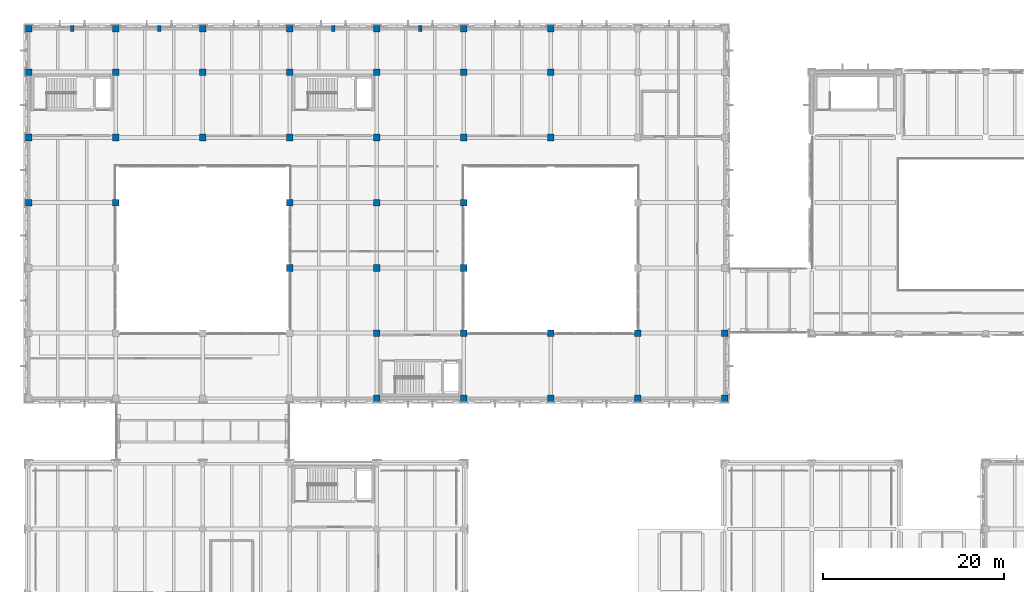
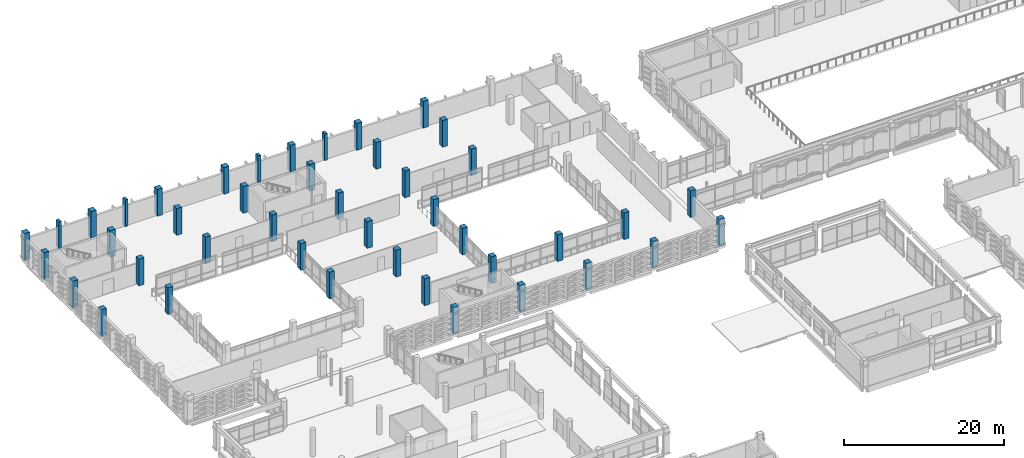
# One storey, part 5 of 180: 43 columns.
"""IFC4 building model written with IfcOpenShell, lengths in metres."""

from ifc_helpers import new_model, si_unit, direction, frame, origin, origin_2d, place, context, subcontext, project, spatial, rectangle, extrude, material, material_profile, profile_set, type_object, element, save


model = new_model("IFC4")

# Units and contexts
model_context = context("Model", 3, precision=1e-05, world=origin(), true_north=direction((0.0, 1.0)))
body_context = subcontext(model_context, "Body", "Model", "MODEL_VIEW")
ifc_project = project(units=[si_unit("LENGTHUNIT", "METRE"), si_unit("AREAUNIT", "SQUARE_METRE"), si_unit("VOLUMEUNIT", "CUBIC_METRE"), si_unit("PLANEANGLEUNIT", "RADIAN"), si_unit("MASSUNIT", "GRAM", prefix="KILO")], contexts=[model_context])

# Site, building, storey
site_placement = place(None, origin())
site = spatial("IfcSite", under=ifc_project, at=site_placement, CompositionType="ELEMENT")
building_placement = place(site_placement, origin())
building = spatial("IfcBuilding", under=site, at=building_placement, Name="Asteropetra Specialist Clinic", CompositionType="ELEMENT")
storey_placement = place(building_placement, frame((0.0, 0.0, 4.419921875)))
storey = spatial("IfcBuildingStorey", under=building, at=storey_placement, Name="L01", CompositionType="ELEMENT", Elevation=4.419921875)

# Columns
ifc_material_1 = material(Name="Concrete C35/45", Category="concrete")
ifc_material_profile_1 = material_profile(ifc_material_1, rectangle(XDim=0.75, YDim=0.75, at=origin_2d()), Name="RC 750x750")
ifc_profile_set_1 = profile_set([ifc_material_profile_1], Name="Concrete C35/45")
column_type_1 = type_object("IfcColumnType", Name="COL-RC750", PredefinedType="COLUMN", material=ifc_profile_set_1)
for number, where, z_axis, x_axis, name in (
    (1, (0.0, 91.199951171875, 0.0), (0.0, 0.0, 1.0), (1.0, 0.0, 0.0), "Column CCOL02-0058"),
    (2, (0.0, 98.39990234375, 0.0), (0.0, 0.0, 1.0), (1.0, 0.0, 0.0), "Column CCOL02-0064"),
    (3, (0.0, 105.60009765625, 0.0), (0.0, 0.0, 1.0), (1.0, 0.0, 0.0), "Column CCOL02-0070"),
    (4, (0.0, 110.39990234375, 0.0), (0.0, 0.0, 1.0), (1.0, 0.0, 0.0), "Column CCOL02-0076"),
    (5, (9.60009765625, 91.199951171875, 0.0), (0.0, 0.0, 1.0), (1.0, 0.0, 0.0), "Column CCOL02-0138"),
    (6, (9.60009765625, 98.39990234375, 0.0), (0.0, 0.0, 1.0), (1.0, 0.0, 0.0), "Column CCOL02-0144"),
    (7, (9.60009765625, 105.60009765625, 0.0), (0.0, 0.0, 1.0), (1.0, 0.0, 0.0), "Column CCOL02-0150"),
    (8, (9.60009765625, 110.39990234375, 0.0), (0.0, 0.0, 1.0), (1.0, 0.0, 0.0), "Column CCOL02-0156"),
    (9, (19.199951171875, 98.39990234375, 0.0), (0.0, 0.0, 1.0), (1.0, 0.0, 0.0), "Column CCOL02-0244"),
    (10, (19.199951171875, 105.60009765625, 0.0), (0.0, 0.0, 1.0), (1.0, 0.0, 0.0), "Column CCOL02-0250"),
    (11, (19.199951171875, 110.39990234375, 0.0), (0.0, 0.0, 1.0), (1.0, 0.0, 0.0), "Column CCOL02-0256"),
    (12, (28.800048828125, 84.0, 0.0), (0.0, 0.0, 1.0), (1.0, 0.0, 0.0), "Column CCOL02-0328"),
    (13, (28.800048828125, 91.199951171875, 0.0), (0.0, 0.0, 1.0), (1.0, 0.0, 0.0), "Column CCOL02-0334"),
    (14, (28.800048828125, 98.39990234375, 0.0), (0.0, 0.0, 1.0), (1.0, 0.0, 0.0), "Column CCOL02-0340"),
    (15, (28.800048828125, 105.60009765625, 0.0), (0.0, 0.0, 1.0), (1.0, 0.0, 0.0), "Column CCOL02-0346"),
    (16, (28.800048828125, 110.39990234375, 0.0), (0.0, 0.0, 1.0), (1.0, 0.0, 0.0), "Column CCOL02-0352"),
    (17, (38.39990234375, 69.60009765625, 0.0), (0.0, 0.0, 1.0), (1.0, 0.0, 0.0), "Column CCOL02-0398"),
    (18, (38.39990234375, 76.800048828125, 0.0), (0.0, 0.0, 1.0), (1.0, 0.0, 0.0), "Column CCOL02-0402"),
    (19, (38.39990234375, 84.0, 0.0), (0.0, 0.0, 1.0), (1.0, 0.0, 0.0), "Column CCOL02-0408"),
    (20, (38.39990234375, 91.199951171875, 0.0), (0.0, 0.0, 1.0), (1.0, 0.0, 0.0), "Column CCOL02-0414"),
    (21, (38.39990234375, 98.39990234375, 0.0), (0.0, 0.0, 1.0), (1.0, 0.0, 0.0), "Column CCOL02-0420"),
    (22, (38.39990234375, 105.60009765625, 0.0), (0.0, 0.0, 1.0), (1.0, 0.0, 0.0), "Column CCOL02-0426"),
    (23, (38.39990234375, 110.39990234375, 0.0), (0.0, 0.0, 1.0), (1.0, 0.0, 0.0), "Column CCOL02-0432"),
    (24, (48.0, 69.60009765625, 0.0), (0.0, 0.0, 1.0), (1.0, 0.0, 0.0), "Column CCOL02-0468"),
    (25, (48.0, 76.800048828125, 0.0), (0.0, 0.0, 1.0), (1.0, 0.0, 0.0), "Column CCOL02-0472"),
    (26, (48.0, 84.0, 0.0), (0.0, 0.0, 1.0), (1.0, 0.0, 0.0), "Column CCOL02-0476"),
    (27, (48.0, 91.199951171875, 0.0), (0.0, 0.0, 1.0), (1.0, 0.0, 0.0), "Column CCOL02-0480"),
    (28, (48.0, 98.39990234375, 0.0), (0.0, 0.0, 1.0), (1.0, 0.0, 0.0), "Column CCOL02-0484"),
    (29, (48.0, 105.60009765625, 0.0), (0.0, 0.0, 1.0), (1.0, 0.0, 0.0), "Column CCOL02-0488"),
    (30, (48.0, 110.39990234375, 0.0), (0.0, 0.0, 1.0), (1.0, 0.0, 0.0), "Column CCOL02-0492"),
    (31, (57.60009765625, 69.60009765625, 0.0), (0.0, 0.0, 1.0), (1.0, 0.0, 0.0), "Column CCOL02-0516"),
    (32, (57.60009765625, 76.800048828125, 0.0), (0.0, 0.0, 1.0), (1.0, 0.0, 0.0), "Column CCOL02-0518"),
    (33, (57.60009765625, 98.39990234375, 0.0), (0.0, 0.0, 1.0), (1.0, 0.0, 0.0), "Column CCOL02-0520"),
    (34, (57.60009765625, 105.60009765625, 0.0), (0.0, 0.0, 1.0), (1.0, 0.0, 0.0), "Column CCOL02-0522"),
    (35, (57.60009765625, 110.39990234375, 0.0), (0.0, 0.0, 1.0), (1.0, 0.0, 0.0), "Column CCOL02-0524"),
    (36, (67.199951171875, 69.60009765625, 0.0), (0.0, 0.0, 1.0), (1.0, 0.0, 0.0), "Column CCOL02-0536"),
    (37, (67.199951171875, 76.800048828125, 0.0), (0.0, 0.0, 1.0), (1.0, 0.0, 0.0), "Column CCOL02-0538"),
    (38, (76.800048828125, 69.60009765625, 0.0), (0.0, 0.0, 1.0), (1.0, 0.0, 0.0), "Column CCOL02-0565"),
    (39, (76.800048828125, 76.800048828125, 0.0), (0.0, 0.0, 1.0), (1.0, 0.0, 0.0), "Column CCOL02-0567"),
):
    element("IfcColumn", number, at=place(storey_placement, frame(where, z_axis=z_axis, x_axis=x_axis)), inside=storey, type_object=column_type_1, Name=name, PredefinedType="COLUMN", context=body_context, shape_type="SweptSolid", body=[
        extrude(rectangle(XDim=0.75, YDim=0.75, at=origin_2d()), origin(), (0.0, 0.0, 1.0), 4.080078125),
    ])
ifc_material_2 = material(Name="Concrete C35/45", Category="concrete")
ifc_material_profile_2 = material_profile(ifc_material_2, rectangle(XDim=0.39990234375, YDim=0.64990234375, at=origin_2d()), Name="PIL 400x650")
ifc_profile_set_2 = profile_set([ifc_material_profile_2], Name="Concrete C35/45")
column_type_2 = type_object("IfcColumnType", Name="PIL-RC400x650", PredefinedType="PILASTER", material=ifc_profile_set_2)
for number, where, z_axis, x_axis, name in (
    (40, (4.800048828125, 110.39990234375, 0.0), (0.0, 0.0, 1.0), (1.0, 0.0, 0.0), "Neoclassical Pilaster PL-L01-01"),
    (41, (14.39990234375, 110.39990234375, 0.0), (0.0, 0.0, 1.0), (1.0, 0.0, 0.0), "Neoclassical Pilaster PL-L01-02"),
    (42, (33.60009765625, 110.39990234375, 0.0), (0.0, 0.0, 1.0), (1.0, 0.0, 0.0), "Neoclassical Pilaster PL-L01-03"),
    (43, (43.199951171875, 110.39990234375, 0.0), (0.0, 0.0, 1.0), (1.0, 0.0, 0.0), "Neoclassical Pilaster PL-L01-04"),
):
    element("IfcColumn", number, at=place(storey_placement, frame(where, z_axis=z_axis, x_axis=x_axis)), inside=storey, type_object=column_type_2, Name=name, PredefinedType="PILASTER", context=body_context, shape_type="SweptSolid", body=[
        extrude(rectangle(XDim=0.39990234375, YDim=0.64990234375, at=origin_2d()), origin(), (0.0, 0.0, 1.0), 4.080078125),
    ])

save(model, "model.ifc")
